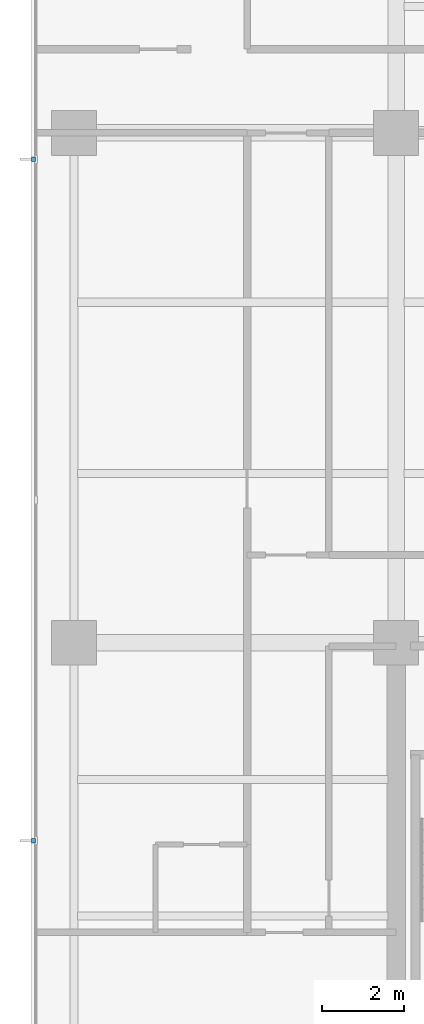
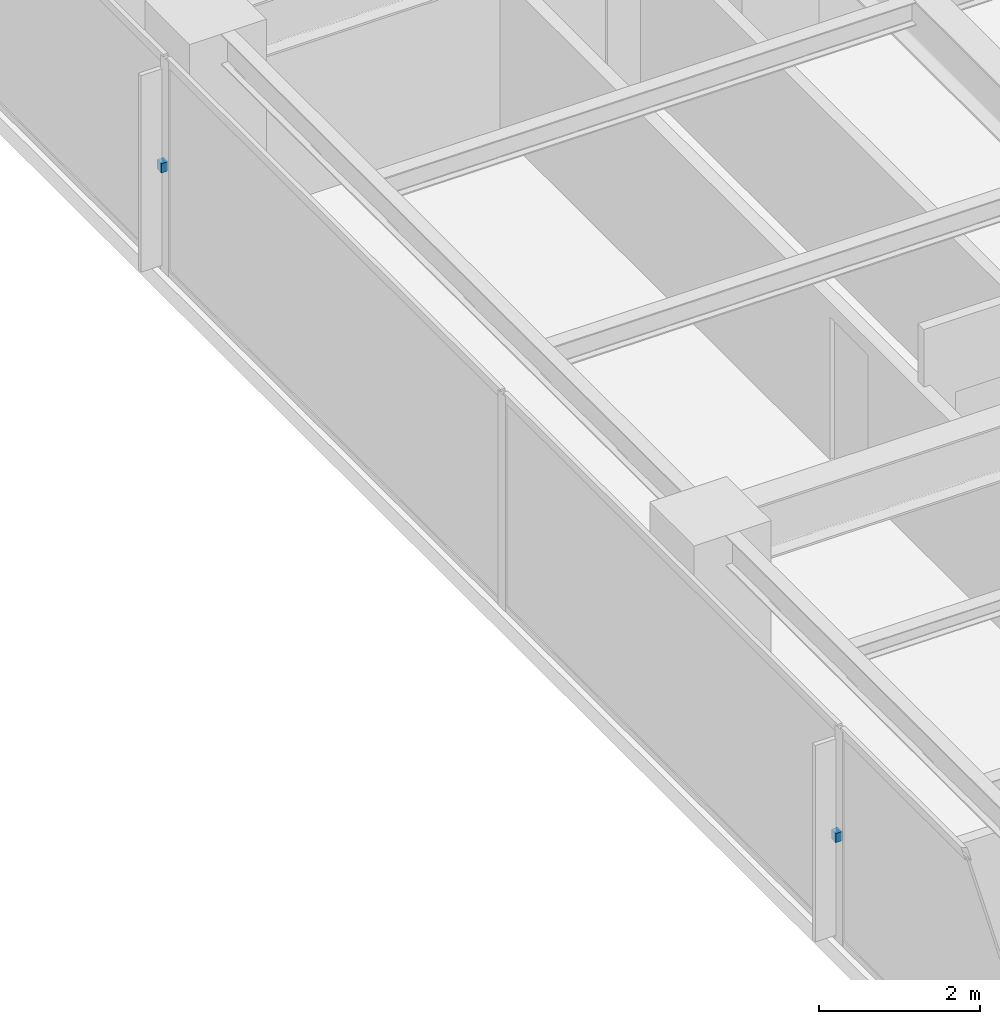
# One storey, part 11 of 14: 2 discrete accessories.
"""IFC4 building model written with IfcOpenShell, lengths in metres."""

from ifc_helpers import new_model, si_unit, direction, frame, origin, place, context, subcontext, project, spatial, polyline, outline, extrude, material, type_object, element, save


model = new_model("IFC4")

# Units and contexts
model_context = context("Model", 3, precision=1e-05, world=origin(), true_north=direction((0.0, 1.0)))
body_context = subcontext(model_context, "Body", "Model", "MODEL_VIEW")
ifc_project = project(units=[si_unit("LENGTHUNIT", "METRE"), si_unit("AREAUNIT", "SQUARE_METRE"), si_unit("VOLUMEUNIT", "CUBIC_METRE"), si_unit("PLANEANGLEUNIT", "RADIAN"), si_unit("MASSUNIT", "GRAM", prefix="KILO")], contexts=[model_context])

# Site, building, storey
site_placement = place(None, origin())
site = spatial("IfcSite", under=ifc_project, at=site_placement, CompositionType="ELEMENT")
building_placement = place(site_placement, origin())
building = spatial("IfcBuilding", under=site, at=building_placement, Name="Qalmaran Belvedere Hotel", CompositionType="ELEMENT")
storey_placement = place(building_placement, frame((0.0, 0.0, 177.10009765625)))
storey = spatial("IfcBuildingStorey", under=building, at=storey_placement, Name="L45", CompositionType="ELEMENT", Elevation=177.10009765625)

# Discrete accessories
ifc_material = material(Name="Stainless Steel 1.4401", Category="steel")
discrete_accessory_type = type_object("IfcDiscreteAccessoryType", Name="BRK-FIN-SS316", PredefinedType="BRACKET", material=ifc_material)
discrete_accessory_1_placement = place(storey_placement, frame((0.0, 0.0, 1.574951171875)))
element("IfcDiscreteAccessory", 1, at=discrete_accessory_1_placement, inside=storey, type_object=discrete_accessory_type, Name="L45 Fin Bracket 1", PredefinedType="BRACKET", context=body_context, shape_type="SweptSolid", body=[
    extrude(outline(polyline([(11.455078125, 32.405029296875), (11.360107421875, 32.405029296875), (11.360107421875, 32.294921875), (11.455078125, 32.294921875), (11.455078125, 32.405029296875)])), origin(), (0.0, 0.0, 1.0), 0.139892578125),
])
discrete_accessory_2_placement = place(storey_placement, frame((0.0, 0.0, 1.574951171875)))
element("IfcDiscreteAccessory", 2, at=discrete_accessory_2_placement, inside=storey, type_object=discrete_accessory_type, Name="L45 Fin Bracket 3", PredefinedType="BRACKET", context=body_context, shape_type="SweptSolid", body=[
    extrude(outline(polyline([(11.455078125, 15.705078125), (11.360107421875, 15.705078125), (11.360107421875, 15.594970703125), (11.455078125, 15.594970703125), (11.455078125, 15.705078125)])), origin(), (0.0, 0.0, 1.0), 0.139892578125),
])

save(model, "model.ifc")
